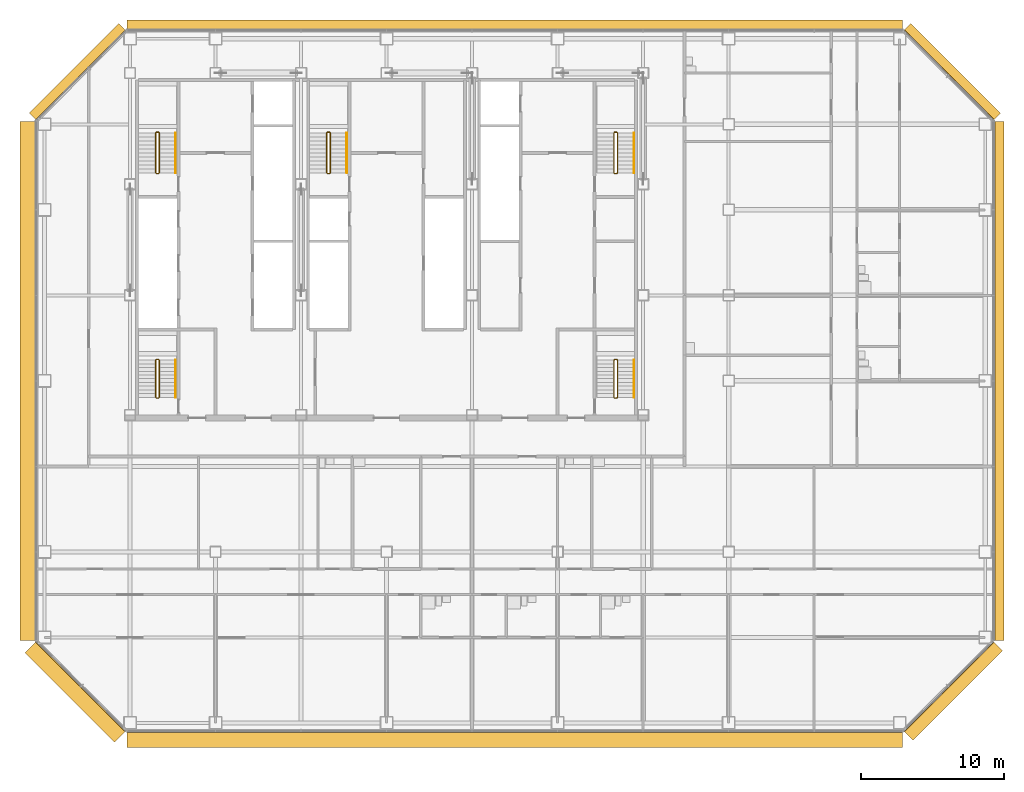
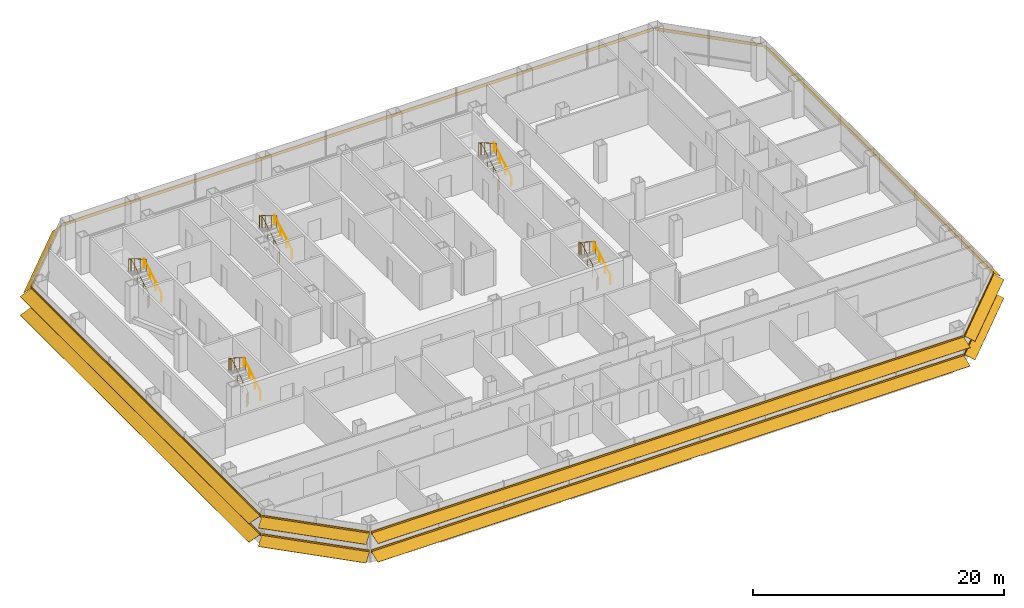
# One storey, part 25 of 26: 10 railings, 8 shading devices.
"""IFC4 building model written with IfcOpenShell, lengths in metres."""

from ifc_helpers import new_model, si_unit, direction, frame, origin, origin_2d, place, context, subcontext, project, spatial, polyline, circle, outline, composite_profile, extrude, material, type_object, element, save


model = new_model("IFC4")

# Units and contexts
model_context = context("Model", 3, precision=1e-05, world=origin(), true_north=direction((0.0, 1.0)))
body_context = subcontext(model_context, "Body", "Model", "MODEL_VIEW")
ifc_project = project(units=[si_unit("LENGTHUNIT", "METRE"), si_unit("AREAUNIT", "SQUARE_METRE"), si_unit("VOLUMEUNIT", "CUBIC_METRE"), si_unit("PLANEANGLEUNIT", "RADIAN"), si_unit("MASSUNIT", "GRAM", prefix="KILO")], contexts=[model_context])

# Site, building, storey
site_placement = place(None, origin())
site = spatial("IfcSite", under=ifc_project, at=site_placement, CompositionType="ELEMENT")
building_placement = place(site_placement, origin())
building = spatial("IfcBuilding", under=site, at=building_placement, Name="Sorahane Residences", CompositionType="ELEMENT")
storey_placement = place(building_placement, frame((0.0, 0.0, 67.800048828125)))
storey = spatial("IfcBuildingStorey", under=building, at=storey_placement, Name="L13", CompositionType="ELEMENT", Elevation=67.800048828125)

# Shading devices
ifc_material_1 = material(Name="Terracotta anodised aluminium", Category="masonry")
shading_device_type_1 = type_object("IfcShadingDeviceType", Name="Louvre sunshade blade E terracotta aluminium 700", PredefinedType="JALOUSIE", material=ifc_material_1)
shading_device_1_placement = place(storey_placement, frame((66.60009765625, 5.801513671875, 2.699951171875), z_axis=(0.0, 1.0, 0.0), x_axis=(-1.0, 0.0, 0.0)))
element("IfcShadingDevice", 1, at=shading_device_1_placement, inside=storey, type_object=shading_device_type_1, Name="Louvre sunshade blade bank E L13 E1", PredefinedType="JALOUSIE", context=body_context, shape_type="SweptSolid", body=[
    extrude(outline(polyline([(-0.719970703125, -0.49365234375), (-0.719970703125, -0.523681640625), (-0.080078125, -0.05859375), (-0.080078125, -0.14990234375), (-0.02001953125, -0.14990234375), (-0.02001953125, -0.014892578125), (-0.02001953125, 0.014892578125), (-0.02001953125, 0.14990234375), (-0.080078125, 0.14990234375), (-0.080078125, -0.028564453125), (-0.719970703125, -0.49365234375)])), origin(), (0.0, 0.0, 1.0), 36.39697265625),
])
ifc_material_2 = material(Name="Terracotta anodised aluminium", Category="masonry")
shading_device_type_2 = type_object("IfcShadingDeviceType", Name="Louvre sunshade blade N terracotta aluminium 700", PredefinedType="JALOUSIE", material=ifc_material_2)
shading_device_2_placement = place(storey_placement, frame((60.198486328125, 48.60009765625, 2.699951171875), z_axis=(-1.0, 0.0, 0.0), x_axis=(0.0, -1.0, 0.0)))
element("IfcShadingDevice", 2, at=shading_device_2_placement, inside=storey, type_object=shading_device_type_2, Name="Louvre sunshade blade bank N L13 N1", PredefinedType="JALOUSIE", context=body_context, shape_type="SweptSolid", body=[
    extrude(outline(polyline([(-0.719970703125, -0.660888671875), (-0.719970703125, -0.69091796875), (-0.080078125, -0.072998046875), (-0.080078125, -0.14990234375), (-0.02001953125, -0.14990234375), (-0.02001953125, -0.014892578125), (-0.02001953125, 0.014892578125), (-0.02001953125, 0.14990234375), (-0.080078125, 0.14990234375), (-0.080078125, -0.04296875), (-0.719970703125, -0.660888671875)])), origin(), (0.0, 0.0, 1.0), 54.39697265625),
])
ifc_material_3 = material(Name="Terracotta anodised aluminium", Category="masonry")
shading_device_type_3 = type_object("IfcShadingDeviceType", Name="Louvre sunshade blade NE terracotta aluminium 700", PredefinedType="JALOUSIE", material=ifc_material_3)
shading_device_3_placement = place(storey_placement, frame((66.564697265625, 42.283935546875, 2.699951171875), z_axis=(-0.707106781187, 0.707106781187, 0.0), x_axis=(-0.707106781187, -0.707106781187, 0.0)))
element("IfcShadingDevice", 3, at=shading_device_3_placement, inside=storey, type_object=shading_device_type_3, Name="Louvre sunshade blade bank NE L13 NE1", PredefinedType="JALOUSIE", context=body_context, shape_type="SweptSolid", body=[
    extrude(outline(polyline([(-0.719970703125, -0.572509765625), (-0.719970703125, -0.602294921875), (-0.080078125, -0.065185546875), (-0.080078125, -0.14990234375), (-0.02001953125, -0.14990234375), (-0.02001953125, -0.014892578125), (-0.02001953125, 0.014892578125), (-0.02001953125, 0.14990234375), (-0.080078125, 0.14990234375), (-0.080078125, -0.035400390625), (-0.719970703125, -0.572509765625)])), origin(), (0.0, 0.0, 1.0), 8.88232421875),
])
ifc_material_4 = material(Name="Terracotta anodised aluminium", Category="masonry")
shading_device_type_4 = type_object("IfcShadingDeviceType", Name="Louvre sunshade blade NW terracotta aluminium 700", PredefinedType="JALOUSIE", material=ifc_material_4)
shading_device_4_placement = place(storey_placement, frame((5.716064453125, 48.564697265625, 2.699951171875), z_axis=(-0.707106781187, -0.707106781187, 0.0), x_axis=(0.707106781187, -0.707106781187, 0.0)))
element("IfcShadingDevice", 4, at=shading_device_4_placement, inside=storey, type_object=shading_device_type_4, Name="Louvre sunshade blade bank NW L13 NW1", PredefinedType="JALOUSIE", context=body_context, shape_type="SweptSolid", body=[
    extrude(outline(polyline([(-0.719970703125, -0.660888671875), (-0.719970703125, -0.69091796875), (-0.080078125, -0.072998046875), (-0.080078125, -0.14990234375), (-0.02001953125, -0.14990234375), (-0.02001953125, -0.014892578125), (-0.02001953125, 0.014892578125), (-0.02001953125, 0.14990234375), (-0.080078125, 0.14990234375), (-0.080078125, -0.04296875), (-0.719970703125, -0.660888671875)])), origin(), (0.0, 0.0, 1.0), 8.88232421875),
])
ifc_material_5 = material(Name="Terracotta anodised aluminium", Category="masonry")
shading_device_type_5 = type_object("IfcShadingDeviceType", Name="Louvre sunshade blade S terracotta aluminium 1100", PredefinedType="JALOUSIE", material=ifc_material_5)
shading_device_5_placement = place(storey_placement, frame((5.801513671875, -0.60009765625, 0.89990234375), z_axis=(1.0, 0.0, 0.0), x_axis=(0.0, 1.0, 0.0)))
element("IfcShadingDevice", 5, at=shading_device_5_placement, inside=storey, type_object=shading_device_type_5, Name="Louvre sunshade blade bank S L13 S1", PredefinedType="JALOUSIE", context=body_context, shape_type="SweptSolid", body=[
    extrude(composite_profile([outline(polyline([(-1.1201171875, -0.385498046875), (-1.1201171875, -0.415283203125), (-0.080078125, -0.036865234375), (-0.080078125, -0.14990234375), (-0.02001953125, -0.14990234375), (-0.02001953125, -0.014892578125), (-0.02001953125, 0.014892578125), (-0.02001953125, 0.14990234375), (-0.080078125, 0.14990234375), (-0.080078125, -0.0068359375), (-1.1201171875, -0.385498046875)])), outline(polyline([(-1.1201171875, 1.41455078125), (-1.1201171875, 1.384521484375), (-0.080078125, 1.76318359375), (-0.080078125, 1.64990234375), (-0.02001953125, 1.64990234375), (-0.02001953125, 1.784912109375), (-0.02001953125, 1.81494140625), (-0.02001953125, 1.949951171875), (-0.080078125, 1.949951171875), (-0.080078125, 1.793212890625), (-1.1201171875, 1.41455078125)]))]), origin(), (0.0, 0.0, 1.0), 54.39697265625),
])
ifc_material_6 = material(Name="Terracotta anodised aluminium", Category="masonry")
shading_device_type_6 = type_object("IfcShadingDeviceType", Name="Louvre sunshade blade SE terracotta aluminium 900", PredefinedType="JALOUSIE", material=ifc_material_6)
shading_device_6_placement = place(storey_placement, frame((60.283935546875, -0.564697265625, 0.89990234375), z_axis=(0.707106781187, 0.707106781187, 0.0), x_axis=(-0.707106781187, 0.707106781187, 0.0)))
element("IfcShadingDevice", 6, at=shading_device_6_placement, inside=storey, type_object=shading_device_type_6, Name="Louvre sunshade blade bank SE L13 SE1", PredefinedType="JALOUSIE", context=body_context, shape_type="SweptSolid", body=[
    extrude(composite_profile([outline(polyline([(-0.919921875, -0.3486328125), (-0.919921875, -0.378662109375), (-0.080078125, -0.039306640625), (-0.080078125, -0.14990234375), (-0.02001953125, -0.14990234375), (-0.02001953125, -0.014892578125), (-0.02001953125, 0.014892578125), (-0.02001953125, 0.14990234375), (-0.080078125, 0.14990234375), (-0.080078125, -0.00927734375), (-0.919921875, -0.3486328125)])), outline(polyline([(-0.919921875, 1.451416015625), (-0.919921875, 1.42138671875), (-0.080078125, 1.7607421875), (-0.080078125, 1.64990234375), (-0.02001953125, 1.64990234375), (-0.02001953125, 1.784912109375), (-0.02001953125, 1.81494140625), (-0.02001953125, 1.949951171875), (-0.080078125, 1.949951171875), (-0.080078125, 1.790771484375), (-0.919921875, 1.451416015625)]))]), origin(), (0.0, 0.0, 1.0), 8.88232421875),
])
ifc_material_7 = material(Name="Terracotta anodised aluminium", Category="masonry")
shading_device_type_7 = type_object("IfcShadingDeviceType", Name="Louvre sunshade blade SW terracotta aluminium 1100", PredefinedType="JALOUSIE", material=ifc_material_7)
shading_device_7_placement = place(storey_placement, frame((-0.564697265625, 5.716064453125, 0.89990234375), z_axis=(0.707106781187, -0.707106781187, 0.0), x_axis=(0.707106781187, 0.707106781187, 0.0)))
element("IfcShadingDevice", 7, at=shading_device_7_placement, inside=storey, type_object=shading_device_type_7, Name="Louvre sunshade blade bank SW L13 SW1", PredefinedType="JALOUSIE", context=body_context, shape_type="SweptSolid", body=[
    extrude(composite_profile([outline(polyline([(-1.1201171875, -0.385498046875), (-1.1201171875, -0.415283203125), (-0.080078125, -0.036865234375), (-0.080078125, -0.14990234375), (-0.02001953125, -0.14990234375), (-0.02001953125, -0.014892578125), (-0.02001953125, 0.014892578125), (-0.02001953125, 0.14990234375), (-0.080078125, 0.14990234375), (-0.080078125, -0.0068359375), (-1.1201171875, -0.385498046875)])), outline(polyline([(-1.1201171875, 1.41455078125), (-1.1201171875, 1.384521484375), (-0.080078125, 1.76318359375), (-0.080078125, 1.64990234375), (-0.02001953125, 1.64990234375), (-0.02001953125, 1.784912109375), (-0.02001953125, 1.81494140625), (-0.02001953125, 1.949951171875), (-0.080078125, 1.949951171875), (-0.080078125, 1.793212890625), (-1.1201171875, 1.41455078125)]))]), origin(), (0.0, 0.0, 1.0), 8.88232421875),
])
ifc_material_8 = material(Name="Terracotta anodised aluminium", Category="masonry")
shading_device_type_8 = type_object("IfcShadingDeviceType", Name="Louvre sunshade blade W terracotta aluminium 1100", PredefinedType="JALOUSIE", material=ifc_material_8)
shading_device_8_placement = place(storey_placement, frame((-0.60009765625, 42.198486328125, 0.89990234375), z_axis=(0.0, -1.0, 0.0), x_axis=(1.0, 0.0, 0.0)))
element("IfcShadingDevice", 8, at=shading_device_8_placement, inside=storey, type_object=shading_device_type_8, Name="Louvre sunshade blade bank W L13 W1", PredefinedType="JALOUSIE", context=body_context, shape_type="SweptSolid", body=[
    extrude(composite_profile([outline(polyline([(-1.1201171875, -0.385498046875), (-1.1201171875, -0.415283203125), (-0.080078125, -0.036865234375), (-0.080078125, -0.14990234375), (-0.02001953125, -0.14990234375), (-0.02001953125, -0.014892578125), (-0.02001953125, 0.014892578125), (-0.02001953125, 0.14990234375), (-0.080078125, 0.14990234375), (-0.080078125, -0.0068359375), (-1.1201171875, -0.385498046875)])), outline(polyline([(-1.1201171875, 1.41455078125), (-1.1201171875, 1.384521484375), (-0.080078125, 1.76318359375), (-0.080078125, 1.64990234375), (-0.02001953125, 1.64990234375), (-0.02001953125, 1.784912109375), (-0.02001953125, 1.81494140625), (-0.02001953125, 1.949951171875), (-0.080078125, 1.949951171875), (-0.080078125, 1.793212890625), (-1.1201171875, 1.41455078125)]))]), origin(), (0.0, 0.0, 1.0), 36.39697265625),
])

# Railings
ifc_material_9 = material(Name="Steel Q355B", Category="steel")
railing_type_1 = type_object("IfcRailingType", Name="Stair guard 1200 Steel Q355B", PredefinedType="GUARDRAIL", material=ifc_material_9)
railing_1_placement = place(storey_placement, frame((7.85009765625, 38.550048828125, 0.0)))
element("IfcRailing", 9, at=railing_1_placement, inside=storey, type_object=railing_type_1, Name="L13 S1 stair guard 1", PredefinedType="GUARDRAIL", context=body_context, shape_type="SweptSolid", body=[
    extrude(circle(Radius=0.02392578125, at=origin_2d()), frame((0.0, 0.0, 1.17578125), z_axis=(1.0, 0.0, 0.0), x_axis=(0.0, 1.0, 0.0)), (0.0, 0.0, 1.0), 0.14990234375),
    extrude(circle(Radius=0.02392578125, at=origin_2d()), frame((0.14990234375, 0.0, 1.17578125), z_axis=(0.280808744504, 0.280808744504, 0.917765164963), x_axis=(-0.707106781187, 0.707106781187, 0.0)), (0.0, 0.0, 1.0), 0.17822265625),
    extrude(circle(Radius=0.02392578125, at=origin_2d()), frame((0.199951171875, 0.050048828125, 1.33935546875), z_axis=(0.0, 0.863341702679, 0.504619762213), x_axis=(-1.0, 0.0, 0.0)), (0.0, 0.0, 1.0), 3.242919921875),
    extrude(circle(Radius=0.02392578125, at=origin_2d()), frame((0.199951171875, 2.849853515625, 2.97607421875), z_axis=(-0.707106781187, 0.707106781187, 0.0), x_axis=(-0.707106781187, -0.707106781187, 0.0)), (0.0, 0.0, 1.0), 0.07080078125),
    extrude(circle(Radius=0.02392578125, at=origin_2d()), frame((0.14990234375, 2.89990234375, 2.97607421875), z_axis=(-1.0, 0.0, 0.0), x_axis=(0.0, -1.0, 0.0)), (0.0, 0.0, 1.0), 0.14990234375),
    extrude(circle(Radius=0.02392578125, at=origin_2d()), frame((0.0, 2.89990234375, 2.97607421875), z_axis=(-0.280808744504, -0.280808744504, 0.917765164963), x_axis=(0.707106781187, -0.707106781187, 0.0)), (0.0, 0.0, 1.0), 0.17822265625),
    extrude(circle(Radius=0.02392578125, at=origin_2d()), frame((-0.050048828125, 2.849853515625, 3.1396484375), z_axis=(0.0, -0.863374499697, 0.504563646405), x_axis=(1.0, 0.0, 0.0)), (0.0, 0.0, 1.0), 3.242919921875),
    extrude(circle(Radius=0.02099609375, at=origin_2d()), origin(), (0.0, 0.0, 1.0), 1.15185546875),
    extrude(circle(Radius=0.02099609375, at=origin_2d()), frame((0.14990234375, 0.0, 0.0)), (0.0, 0.0, 1.0), 1.15185546875),
    extrude(circle(Radius=0.02099609375, at=origin_2d()), frame((0.199951171875, 0.050048828125, 0.16357421875)), (0.0, 0.0, 1.0), 1.15185546875),
    extrude(circle(Radius=0.02099609375, at=origin_2d()), frame((0.199951171875, 0.9833984375, 0.708984375)), (0.0, 0.0, 1.0), 1.15185546875),
    extrude(circle(Radius=0.02099609375, at=origin_2d()), frame((0.199951171875, 1.91650390625, 1.254638671875)), (0.0, 0.0, 1.0), 1.15185546875),
    extrude(circle(Radius=0.02099609375, at=origin_2d()), frame((0.199951171875, 2.849853515625, 1.800048828125)), (0.0, 0.0, 1.0), 1.15185546875),
    extrude(circle(Radius=0.02099609375, at=origin_2d()), frame((0.14990234375, 2.89990234375, 1.800048828125)), (0.0, 0.0, 1.0), 1.15185546875),
    extrude(circle(Radius=0.02099609375, at=origin_2d()), frame((0.0, 2.89990234375, 1.800048828125)), (0.0, 0.0, 1.0), 1.15185546875),
    extrude(circle(Radius=0.02099609375, at=origin_2d()), frame((-0.050048828125, 2.849853515625, 1.963623046875)), (0.0, 0.0, 1.0), 1.15185546875),
    extrude(circle(Radius=0.02099609375, at=origin_2d()), frame((-0.050048828125, 1.91650390625, 2.509033203125)), (0.0, 0.0, 1.0), 1.15185546875),
    extrude(circle(Radius=0.02099609375, at=origin_2d()), frame((-0.050048828125, 0.9833984375, 3.054443359375)), (0.0, 0.0, 1.0), 1.15185546875),
    extrude(circle(Radius=0.02099609375, at=origin_2d()), frame((-0.050048828125, 0.050048828125, 3.599853515625)), (0.0, 0.0, 1.0), 1.15185546875),
])
railing_2_placement = place(storey_placement, frame((40.0, 38.550048828125, 0.0)))
element("IfcRailing", 10, at=railing_2_placement, inside=storey, type_object=railing_type_1, Name="L13 S2 stair guard 1", PredefinedType="GUARDRAIL", context=body_context, shape_type="SweptSolid", body=[
    extrude(circle(Radius=0.02392578125, at=origin_2d()), frame((0.0, 0.0, 1.17578125), z_axis=(1.0, 0.0, 0.0), x_axis=(0.0, 1.0, 0.0)), (0.0, 0.0, 1.0), 0.14990234375),
    extrude(circle(Radius=0.02392578125, at=origin_2d()), frame((0.14990234375, 0.0, 1.17578125), z_axis=(0.280808744504, 0.280808744504, 0.917765164963), x_axis=(-0.707106781187, 0.707106781187, 0.0)), (0.0, 0.0, 1.0), 0.17822265625),
    extrude(circle(Radius=0.02392578125, at=origin_2d()), frame((0.199951171875, 0.050048828125, 1.33935546875), z_axis=(0.0, 0.863341702679, 0.504619762213), x_axis=(-1.0, 0.0, 0.0)), (0.0, 0.0, 1.0), 3.242919921875),
    extrude(circle(Radius=0.02392578125, at=origin_2d()), frame((0.199951171875, 2.849853515625, 2.97607421875), z_axis=(-0.707106781187, 0.707106781187, 0.0), x_axis=(-0.707106781187, -0.707106781187, 0.0)), (0.0, 0.0, 1.0), 0.07080078125),
    extrude(circle(Radius=0.02392578125, at=origin_2d()), frame((0.14990234375, 2.89990234375, 2.97607421875), z_axis=(-1.0, 0.0, 0.0), x_axis=(0.0, -1.0, 0.0)), (0.0, 0.0, 1.0), 0.14990234375),
    extrude(circle(Radius=0.02392578125, at=origin_2d()), frame((0.0, 2.89990234375, 2.97607421875), z_axis=(-0.280808744504, -0.280808744504, 0.917765164963), x_axis=(0.707106781187, -0.707106781187, 0.0)), (0.0, 0.0, 1.0), 0.17822265625),
    extrude(circle(Radius=0.02392578125, at=origin_2d()), frame((-0.050048828125, 2.849853515625, 3.1396484375), z_axis=(0.0, -0.863374499697, 0.504563646405), x_axis=(1.0, 0.0, 0.0)), (0.0, 0.0, 1.0), 3.242919921875),
    extrude(circle(Radius=0.02099609375, at=origin_2d()), origin(), (0.0, 0.0, 1.0), 1.15185546875),
    extrude(circle(Radius=0.02099609375, at=origin_2d()), frame((0.14990234375, 0.0, 0.0)), (0.0, 0.0, 1.0), 1.15185546875),
    extrude(circle(Radius=0.02099609375, at=origin_2d()), frame((0.199951171875, 0.050048828125, 0.16357421875)), (0.0, 0.0, 1.0), 1.15185546875),
    extrude(circle(Radius=0.02099609375, at=origin_2d()), frame((0.199951171875, 0.9833984375, 0.708984375)), (0.0, 0.0, 1.0), 1.15185546875),
    extrude(circle(Radius=0.02099609375, at=origin_2d()), frame((0.199951171875, 1.91650390625, 1.254638671875)), (0.0, 0.0, 1.0), 1.15185546875),
    extrude(circle(Radius=0.02099609375, at=origin_2d()), frame((0.199951171875, 2.849853515625, 1.800048828125)), (0.0, 0.0, 1.0), 1.15185546875),
    extrude(circle(Radius=0.02099609375, at=origin_2d()), frame((0.14990234375, 2.89990234375, 1.800048828125)), (0.0, 0.0, 1.0), 1.15185546875),
    extrude(circle(Radius=0.02099609375, at=origin_2d()), frame((0.0, 2.89990234375, 1.800048828125)), (0.0, 0.0, 1.0), 1.15185546875),
    extrude(circle(Radius=0.02099609375, at=origin_2d()), frame((-0.050048828125, 2.849853515625, 1.963623046875)), (0.0, 0.0, 1.0), 1.15185546875),
    extrude(circle(Radius=0.02099609375, at=origin_2d()), frame((-0.050048828125, 1.91650390625, 2.509033203125)), (0.0, 0.0, 1.0), 1.15185546875),
    extrude(circle(Radius=0.02099609375, at=origin_2d()), frame((-0.050048828125, 0.9833984375, 3.054443359375)), (0.0, 0.0, 1.0), 1.15185546875),
    extrude(circle(Radius=0.02099609375, at=origin_2d()), frame((-0.050048828125, 0.050048828125, 3.599853515625)), (0.0, 0.0, 1.0), 1.15185546875),
])
railing_3_placement = place(storey_placement, frame((19.85009765625, 38.550048828125, 0.0)))
element("IfcRailing", 11, at=railing_3_placement, inside=storey, type_object=railing_type_1, Name="L13 S3 stair guard 1", PredefinedType="GUARDRAIL", context=body_context, shape_type="SweptSolid", body=[
    extrude(circle(Radius=0.02392578125, at=origin_2d()), frame((0.0, 0.0, 1.17578125), z_axis=(1.0, 0.0, 0.0), x_axis=(0.0, 1.0, 0.0)), (0.0, 0.0, 1.0), 0.14990234375),
    extrude(circle(Radius=0.02392578125, at=origin_2d()), frame((0.14990234375, 0.0, 1.17578125), z_axis=(0.280808744504, 0.280808744504, 0.917765164963), x_axis=(-0.707106781187, 0.707106781187, 0.0)), (0.0, 0.0, 1.0), 0.17822265625),
    extrude(circle(Radius=0.02392578125, at=origin_2d()), frame((0.199951171875, 0.050048828125, 1.33935546875), z_axis=(0.0, 0.863341702679, 0.504619762213), x_axis=(-1.0, 0.0, 0.0)), (0.0, 0.0, 1.0), 3.242919921875),
    extrude(circle(Radius=0.02392578125, at=origin_2d()), frame((0.199951171875, 2.849853515625, 2.97607421875), z_axis=(-0.707106781187, 0.707106781187, 0.0), x_axis=(-0.707106781187, -0.707106781187, 0.0)), (0.0, 0.0, 1.0), 0.07080078125),
    extrude(circle(Radius=0.02392578125, at=origin_2d()), frame((0.14990234375, 2.89990234375, 2.97607421875), z_axis=(-1.0, 0.0, 0.0), x_axis=(0.0, -1.0, 0.0)), (0.0, 0.0, 1.0), 0.14990234375),
    extrude(circle(Radius=0.02392578125, at=origin_2d()), frame((0.0, 2.89990234375, 2.97607421875), z_axis=(-0.280808744504, -0.280808744504, 0.917765164963), x_axis=(0.707106781187, -0.707106781187, 0.0)), (0.0, 0.0, 1.0), 0.17822265625),
    extrude(circle(Radius=0.02392578125, at=origin_2d()), frame((-0.050048828125, 2.849853515625, 3.1396484375), z_axis=(0.0, -0.863374499697, 0.504563646405), x_axis=(1.0, 0.0, 0.0)), (0.0, 0.0, 1.0), 3.242919921875),
    extrude(circle(Radius=0.02099609375, at=origin_2d()), origin(), (0.0, 0.0, 1.0), 1.15185546875),
    extrude(circle(Radius=0.02099609375, at=origin_2d()), frame((0.14990234375, 0.0, 0.0)), (0.0, 0.0, 1.0), 1.15185546875),
    extrude(circle(Radius=0.02099609375, at=origin_2d()), frame((0.199951171875, 0.050048828125, 0.16357421875)), (0.0, 0.0, 1.0), 1.15185546875),
    extrude(circle(Radius=0.02099609375, at=origin_2d()), frame((0.199951171875, 0.9833984375, 0.708984375)), (0.0, 0.0, 1.0), 1.15185546875),
    extrude(circle(Radius=0.02099609375, at=origin_2d()), frame((0.199951171875, 1.91650390625, 1.254638671875)), (0.0, 0.0, 1.0), 1.15185546875),
    extrude(circle(Radius=0.02099609375, at=origin_2d()), frame((0.199951171875, 2.849853515625, 1.800048828125)), (0.0, 0.0, 1.0), 1.15185546875),
    extrude(circle(Radius=0.02099609375, at=origin_2d()), frame((0.14990234375, 2.89990234375, 1.800048828125)), (0.0, 0.0, 1.0), 1.15185546875),
    extrude(circle(Radius=0.02099609375, at=origin_2d()), frame((0.0, 2.89990234375, 1.800048828125)), (0.0, 0.0, 1.0), 1.15185546875),
    extrude(circle(Radius=0.02099609375, at=origin_2d()), frame((-0.050048828125, 2.849853515625, 1.963623046875)), (0.0, 0.0, 1.0), 1.15185546875),
    extrude(circle(Radius=0.02099609375, at=origin_2d()), frame((-0.050048828125, 1.91650390625, 2.509033203125)), (0.0, 0.0, 1.0), 1.15185546875),
    extrude(circle(Radius=0.02099609375, at=origin_2d()), frame((-0.050048828125, 0.9833984375, 3.054443359375)), (0.0, 0.0, 1.0), 1.15185546875),
    extrude(circle(Radius=0.02099609375, at=origin_2d()), frame((-0.050048828125, 0.050048828125, 3.599853515625)), (0.0, 0.0, 1.0), 1.15185546875),
])
railing_4_placement = place(storey_placement, frame((7.85009765625, 22.800048828125, 0.0)))
element("IfcRailing", 12, at=railing_4_placement, inside=storey, type_object=railing_type_1, Name="L13 S4 stair guard 1", PredefinedType="GUARDRAIL", context=body_context, shape_type="SweptSolid", body=[
    extrude(circle(Radius=0.02392578125, at=origin_2d()), frame((0.0, 0.0, 1.17578125), z_axis=(1.0, 0.0, 0.0), x_axis=(0.0, 1.0, 0.0)), (0.0, 0.0, 1.0), 0.14990234375),
    extrude(circle(Radius=0.02392578125, at=origin_2d()), frame((0.14990234375, 0.0, 1.17578125), z_axis=(0.280808744504, 0.280808744504, 0.917765164963), x_axis=(-0.707106781187, 0.707106781187, 0.0)), (0.0, 0.0, 1.0), 0.17822265625),
    extrude(circle(Radius=0.02392578125, at=origin_2d()), frame((0.199951171875, 0.050048828125, 1.33935546875), z_axis=(0.0, 0.846301844409, 0.532703658848), x_axis=(-1.0, 0.0, 0.0)), (0.0, 0.0, 1.0), 3.072021484375),
    extrude(circle(Radius=0.02392578125, at=origin_2d()), frame((0.199951171875, 2.64990234375, 2.97607421875), z_axis=(-0.707106781187, 0.707106781187, 0.0), x_axis=(-0.707106781187, -0.707106781187, 0.0)), (0.0, 0.0, 1.0), 0.07080078125),
    extrude(circle(Radius=0.02392578125, at=origin_2d()), frame((0.14990234375, 2.699951171875, 2.97607421875), z_axis=(-1.0, 0.0, 0.0), x_axis=(0.0, -1.0, 0.0)), (0.0, 0.0, 1.0), 0.14990234375),
    extrude(circle(Radius=0.02392578125, at=origin_2d()), frame((0.0, 2.699951171875, 2.97607421875), z_axis=(-0.280808744504, -0.280808744504, 0.917765164963), x_axis=(0.707106781187, -0.707106781187, 0.0)), (0.0, 0.0, 1.0), 0.17822265625),
    extrude(circle(Radius=0.02392578125, at=origin_2d()), frame((-0.050048828125, 2.64990234375, 3.1396484375), z_axis=(0.0, -0.846337672412, 0.532646734952), x_axis=(1.0, 0.0, 0.0)), (0.0, 0.0, 1.0), 3.07177734375),
    extrude(circle(Radius=0.02099609375, at=origin_2d()), origin(), (0.0, 0.0, 1.0), 1.15185546875),
    extrude(circle(Radius=0.02099609375, at=origin_2d()), frame((0.14990234375, 0.0, 0.0)), (0.0, 0.0, 1.0), 1.15185546875),
    extrude(circle(Radius=0.02099609375, at=origin_2d()), frame((0.199951171875, 0.050048828125, 0.16357421875)), (0.0, 0.0, 1.0), 1.15185546875),
    extrude(circle(Radius=0.02099609375, at=origin_2d()), frame((0.199951171875, 0.916748046875, 0.708984375)), (0.0, 0.0, 1.0), 1.15185546875),
    extrude(circle(Radius=0.02099609375, at=origin_2d()), frame((0.199951171875, 1.783203125, 1.254638671875)), (0.0, 0.0, 1.0), 1.15185546875),
    extrude(circle(Radius=0.02099609375, at=origin_2d()), frame((0.199951171875, 2.64990234375, 1.800048828125)), (0.0, 0.0, 1.0), 1.15185546875),
    extrude(circle(Radius=0.02099609375, at=origin_2d()), frame((0.14990234375, 2.699951171875, 1.800048828125)), (0.0, 0.0, 1.0), 1.15185546875),
    extrude(circle(Radius=0.02099609375, at=origin_2d()), frame((0.0, 2.699951171875, 1.800048828125)), (0.0, 0.0, 1.0), 1.15185546875),
    extrude(circle(Radius=0.02099609375, at=origin_2d()), frame((-0.050048828125, 2.64990234375, 1.963623046875)), (0.0, 0.0, 1.0), 1.15185546875),
    extrude(circle(Radius=0.02099609375, at=origin_2d()), frame((-0.050048828125, 1.783203125, 2.509033203125)), (0.0, 0.0, 1.0), 1.15185546875),
    extrude(circle(Radius=0.02099609375, at=origin_2d()), frame((-0.050048828125, 0.916748046875, 3.054443359375)), (0.0, 0.0, 1.0), 1.15185546875),
    extrude(circle(Radius=0.02099609375, at=origin_2d()), frame((-0.050048828125, 0.050048828125, 3.599853515625)), (0.0, 0.0, 1.0), 1.15185546875),
])
railing_5_placement = place(storey_placement, frame((40.0, 22.800048828125, 0.0)))
element("IfcRailing", 13, at=railing_5_placement, inside=storey, type_object=railing_type_1, Name="L13 S5 stair guard 1", PredefinedType="GUARDRAIL", context=body_context, shape_type="SweptSolid", body=[
    extrude(circle(Radius=0.02392578125, at=origin_2d()), frame((0.0, 0.0, 1.17578125), z_axis=(1.0, 0.0, 0.0), x_axis=(0.0, 1.0, 0.0)), (0.0, 0.0, 1.0), 0.14990234375),
    extrude(circle(Radius=0.02392578125, at=origin_2d()), frame((0.14990234375, 0.0, 1.17578125), z_axis=(0.280808744504, 0.280808744504, 0.917765164963), x_axis=(-0.707106781187, 0.707106781187, 0.0)), (0.0, 0.0, 1.0), 0.17822265625),
    extrude(circle(Radius=0.02392578125, at=origin_2d()), frame((0.199951171875, 0.050048828125, 1.33935546875), z_axis=(0.0, 0.846301844409, 0.532703658848), x_axis=(-1.0, 0.0, 0.0)), (0.0, 0.0, 1.0), 3.072021484375),
    extrude(circle(Radius=0.02392578125, at=origin_2d()), frame((0.199951171875, 2.64990234375, 2.97607421875), z_axis=(-0.707106781187, 0.707106781187, 0.0), x_axis=(-0.707106781187, -0.707106781187, 0.0)), (0.0, 0.0, 1.0), 0.07080078125),
    extrude(circle(Radius=0.02392578125, at=origin_2d()), frame((0.14990234375, 2.699951171875, 2.97607421875), z_axis=(-1.0, 0.0, 0.0), x_axis=(0.0, -1.0, 0.0)), (0.0, 0.0, 1.0), 0.14990234375),
    extrude(circle(Radius=0.02392578125, at=origin_2d()), frame((0.0, 2.699951171875, 2.97607421875), z_axis=(-0.280808744504, -0.280808744504, 0.917765164963), x_axis=(0.707106781187, -0.707106781187, 0.0)), (0.0, 0.0, 1.0), 0.17822265625),
    extrude(circle(Radius=0.02392578125, at=origin_2d()), frame((-0.050048828125, 2.64990234375, 3.1396484375), z_axis=(0.0, -0.846337672412, 0.532646734952), x_axis=(1.0, 0.0, 0.0)), (0.0, 0.0, 1.0), 3.07177734375),
    extrude(circle(Radius=0.02099609375, at=origin_2d()), origin(), (0.0, 0.0, 1.0), 1.15185546875),
    extrude(circle(Radius=0.02099609375, at=origin_2d()), frame((0.14990234375, 0.0, 0.0)), (0.0, 0.0, 1.0), 1.15185546875),
    extrude(circle(Radius=0.02099609375, at=origin_2d()), frame((0.199951171875, 0.050048828125, 0.16357421875)), (0.0, 0.0, 1.0), 1.15185546875),
    extrude(circle(Radius=0.02099609375, at=origin_2d()), frame((0.199951171875, 0.916748046875, 0.708984375)), (0.0, 0.0, 1.0), 1.15185546875),
    extrude(circle(Radius=0.02099609375, at=origin_2d()), frame((0.199951171875, 1.783203125, 1.254638671875)), (0.0, 0.0, 1.0), 1.15185546875),
    extrude(circle(Radius=0.02099609375, at=origin_2d()), frame((0.199951171875, 2.64990234375, 1.800048828125)), (0.0, 0.0, 1.0), 1.15185546875),
    extrude(circle(Radius=0.02099609375, at=origin_2d()), frame((0.14990234375, 2.699951171875, 1.800048828125)), (0.0, 0.0, 1.0), 1.15185546875),
    extrude(circle(Radius=0.02099609375, at=origin_2d()), frame((0.0, 2.699951171875, 1.800048828125)), (0.0, 0.0, 1.0), 1.15185546875),
    extrude(circle(Radius=0.02099609375, at=origin_2d()), frame((-0.050048828125, 2.64990234375, 1.963623046875)), (0.0, 0.0, 1.0), 1.15185546875),
    extrude(circle(Radius=0.02099609375, at=origin_2d()), frame((-0.050048828125, 1.783203125, 2.509033203125)), (0.0, 0.0, 1.0), 1.15185546875),
    extrude(circle(Radius=0.02099609375, at=origin_2d()), frame((-0.050048828125, 0.916748046875, 3.054443359375)), (0.0, 0.0, 1.0), 1.15185546875),
    extrude(circle(Radius=0.02099609375, at=origin_2d()), frame((-0.050048828125, 0.050048828125, 3.599853515625)), (0.0, 0.0, 1.0), 1.15185546875),
])
ifc_material_10 = material(Name="Steel Q355B", Category="steel")
railing_type_2 = type_object("IfcRailingType", Name="Stair handrail 900 Steel Q355B", PredefinedType="HANDRAIL", material=ifc_material_10)
for number, where, name in (
    (14, (9.199951171875, 38.60009765625, 0.16357421875), "L13 S1 stair handrail 1"),
    (15, (41.35009765625, 38.60009765625, 0.16357421875), "L13 S2 stair handrail 1"),
    (16, (21.199951171875, 38.60009765625, 0.16357421875), "L13 S3 stair handrail 1"),
):
    element("IfcRailing", number, at=place(storey_placement, frame(where)), inside=storey, type_object=railing_type_2, Name=name, PredefinedType="HANDRAIL", context=body_context, shape_type="SweptSolid", body=[
        extrude(circle(Radius=0.02392578125, at=origin_2d()), frame((0.0, 0.0, 0.8759765625), z_axis=(0.0, 0.863341702679, 0.504619762213), x_axis=(-1.0, 0.0, 0.0)), (0.0, 0.0, 1.0), 3.242919921875),
        extrude(circle(Radius=0.02099609375, at=origin_2d()), origin(), (0.0, 0.0, 1.0), 0.851806640625),
        extrude(circle(Radius=0.02099609375, at=origin_2d()), frame((0.0, 0.933349609375, 0.54541015625)), (0.0, 0.0, 1.0), 0.851806640625),
        extrude(circle(Radius=0.02099609375, at=origin_2d()), frame((0.0, 1.866455078125, 1.091064453125)), (0.0, 0.0, 1.0), 0.851806640625),
        extrude(circle(Radius=0.02099609375, at=origin_2d()), frame((0.0, 2.7998046875, 1.636474609375)), (0.0, 0.0, 1.0), 0.851806640625),
    ])
for number, where, name in (
    (17, (9.199951171875, 22.85009765625, 0.16357421875), "L13 S4 stair handrail 1"),
    (18, (41.35009765625, 22.85009765625, 0.16357421875), "L13 S5 stair handrail 1"),
):
    element("IfcRailing", number, at=place(storey_placement, frame(where)), inside=storey, type_object=railing_type_2, Name=name, PredefinedType="HANDRAIL", context=body_context, shape_type="SweptSolid", body=[
        extrude(circle(Radius=0.02392578125, at=origin_2d()), frame((0.0, 0.0, 0.8759765625), z_axis=(0.0, 0.846301844409, 0.532703658848), x_axis=(-1.0, 0.0, 0.0)), (0.0, 0.0, 1.0), 3.072021484375),
        extrude(circle(Radius=0.02099609375, at=origin_2d()), origin(), (0.0, 0.0, 1.0), 0.851806640625),
        extrude(circle(Radius=0.02099609375, at=origin_2d()), frame((0.0, 0.86669921875, 0.54541015625)), (0.0, 0.0, 1.0), 0.851806640625),
        extrude(circle(Radius=0.02099609375, at=origin_2d()), frame((0.0, 1.733154296875, 1.091064453125)), (0.0, 0.0, 1.0), 0.851806640625),
        extrude(circle(Radius=0.02099609375, at=origin_2d()), frame((0.0, 2.599853515625, 1.636474609375)), (0.0, 0.0, 1.0), 0.851806640625),
    ])

save(model, "model.ifc")
